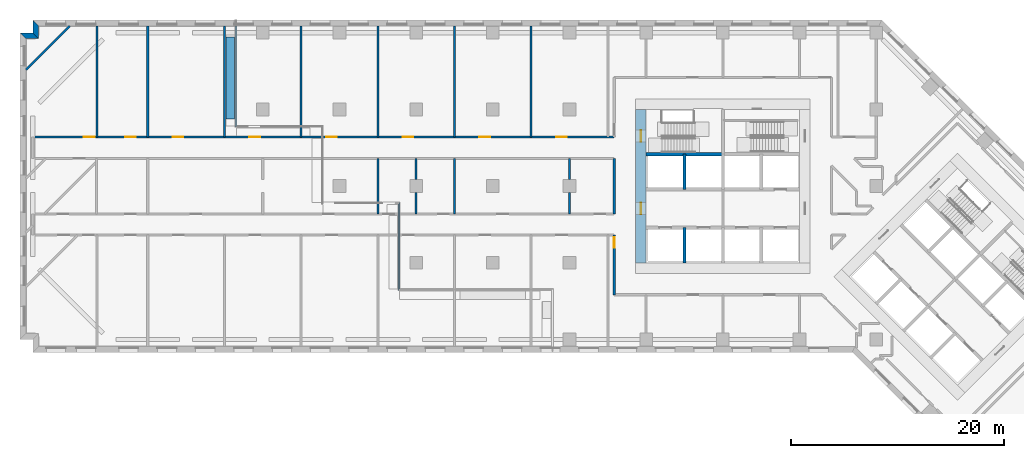
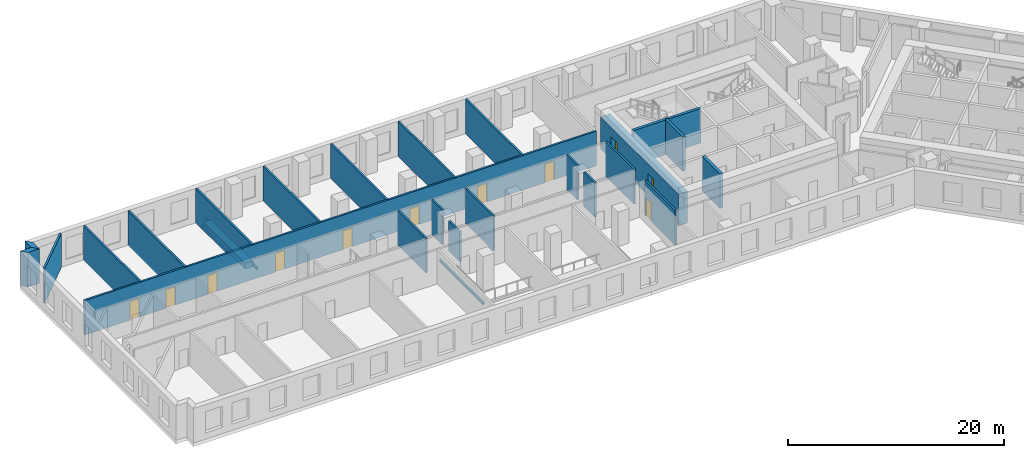
# One storey, part 4 of 12: 26 walls, 11 doors, 11 openings.
"""IFC4 building model written with IfcOpenShell, lengths in metres."""

from ifc_helpers import new_model, si_unit, direction, frame, frame_2d, origin, place, context, subcontext, project, spatial, polyline, rectangle, outline, extrude, material, layer, layer_set, type_object, element, fill, save


model = new_model("IFC4")

# Units and contexts
model_context = context("Model", 3, precision=1e-05, world=origin(), true_north=direction((0.0, 1.0)))
body_context = subcontext(model_context, "Body", "Model", "MODEL_VIEW")
ifc_project = project(units=[si_unit("LENGTHUNIT", "METRE"), si_unit("AREAUNIT", "SQUARE_METRE"), si_unit("VOLUMEUNIT", "CUBIC_METRE"), si_unit("PLANEANGLEUNIT", "RADIAN"), si_unit("MASSUNIT", "GRAM", prefix="KILO")], contexts=[model_context])

# Site, building, storey
site_placement = place(None, origin())
site = spatial("IfcSite", under=ifc_project, at=site_placement, CompositionType="ELEMENT")
building_placement = place(site_placement, origin())
building = spatial("IfcBuilding", under=site, at=building_placement, Name="Windrow Commons", CompositionType="ELEMENT")
storey_placement = place(building_placement, frame((0.0, 0.0, 22.8)))
storey = spatial("IfcBuildingStorey", under=building, at=storey_placement, Name="L05", CompositionType="ELEMENT", Elevation=22.8)

# Walls
ifc_material_1 = material(Name="Brick masonry, red clay brick", Category="masonry")
ifc_layer_1 = layer(ifc_material_1, 0.55)
ifc_layer_set_1 = layer_set([ifc_layer_1], Name="Brick facade wall 550")
wall_type_1 = type_object("IfcWallType", Name="Brick facade wall 550", PredefinedType="SOLIDWALL", material=ifc_layer_set_1)
wall_1_placement = place(storey_placement, frame((0.275, 72.925, 0.0), z_axis=(0.0, 0.0, 1.0), x_axis=(0.0, -1.0, 0.0)))
element("IfcWall", 1, at=wall_1_placement, inside=storey, type_object=wall_type_1, Name="Brick facade wall L05 6", PredefinedType="SOLIDWALL", context=body_context, shape_type="SweptSolid", body=[
    extrude(outline(polyline([(-0.275, -0.275), (0.925, -0.275), (1.475, 0.275), (0.275, 0.275), (-0.275, -0.275)])), origin(), (0.0, 0.0, 1.0), 3.9),
])
wall_2_placement = place(storey_placement, frame((0.275, 71.725, 0.0), z_axis=(0.0, 0.0, 1.0), x_axis=(-1.0, 0.0, 0.0)))
element("IfcWall", 2, at=wall_2_placement, inside=storey, type_object=wall_type_1, Name="Brick facade wall L05 7", PredefinedType="SOLIDWALL", context=body_context, shape_type="SweptSolid", body=[
    extrude(outline(polyline([(0.275, -0.275), (1.475, -0.275), (0.925, 0.275), (-0.275, 0.275), (0.275, -0.275)])), origin(), (0.0, 0.0, 1.0), 3.9),
])

# Wall, openings, doors
ifc_material_2 = material(Name="Blockwork partition", Category="masonry")
ifc_layer_2 = layer(ifc_material_2, 0.2)
ifc_layer_set_2 = layer_set([ifc_layer_2], Name="IW-CORRIDOR-200")
wall_type_2 = type_object("IfcWallType", Name="IW-CORRIDOR-200", PredefinedType="PARTITIONING", material=ifc_layer_set_2)
wall_3_placement = place(storey_placement, frame((0.002, 62.2, 0.0), z_axis=(0.0, 0.0, 1.0), x_axis=(1.0, 0.0, 0.0)))
wall_3 = element("IfcWall", 3, at=wall_3_placement, inside=storey, type_object=wall_type_2, Name="W-L05-W003", PredefinedType="PARTITIONING", context=body_context, shape_type="SweptSolid", body=[
    extrude(rectangle(XDim=54.598, YDim=0.2, at=frame_2d((27.299, 0.0))), origin(), (0.0, 0.0, 1.0), 3.9),
])
opening_1_placement = place(wall_3_placement, frame((8.6667, 0.0, 0.0)))
opening_1 = element("IfcOpeningElement", 4, at=opening_1_placement, cuts=wall_3, Name="Opening D310F", PredefinedType="OPENING", context=body_context, shape_type="SweptSolid", body=[
    extrude(rectangle(XDim=1.0, YDim=2.1, at=frame_2d((0.5, 1.05))), frame((0.0, 0.11, 0.0), z_axis=(0.0, -1.0, 0.0), x_axis=(1.0, 0.0, 0.0)), (0.0, 0.0, 1.0), 0.22),
])
opening_2_placement = place(wall_3_placement, frame((13.1355, 0.0, 0.0)))
opening_2 = element("IfcOpeningElement", 5, at=opening_2_placement, cuts=wall_3, Name="Opening D310F", PredefinedType="OPENING", context=body_context, shape_type="SweptSolid", body=[
    extrude(rectangle(XDim=1.0, YDim=2.1, at=frame_2d((0.5, 1.05))), frame((0.0, 0.11, 0.0), z_axis=(0.0, -1.0, 0.0), x_axis=(1.0, 0.0, 0.0)), (0.0, 0.0, 1.0), 0.22),
])
opening_3_placement = place(wall_3_placement, frame((20.3355, 0.0, 0.0)))
opening_3 = element("IfcOpeningElement", 6, at=opening_3_placement, cuts=wall_3, Name="Opening D310F", PredefinedType="OPENING", context=body_context, shape_type="SweptSolid", body=[
    extrude(rectangle(XDim=1.0, YDim=2.1, at=frame_2d((0.5, 1.05))), frame((0.0, 0.11, 0.0), z_axis=(0.0, -1.0, 0.0), x_axis=(1.0, 0.0, 0.0)), (0.0, 0.0, 1.0), 0.22),
])
opening_4_placement = place(wall_3_placement, frame((27.5355, 0.0, 0.0)))
opening_4 = element("IfcOpeningElement", 7, at=opening_4_placement, cuts=wall_3, Name="Opening D310F", PredefinedType="OPENING", context=body_context, shape_type="SweptSolid", body=[
    extrude(rectangle(XDim=1.0, YDim=2.1, at=frame_2d((0.5, 1.05))), frame((0.0, 0.11, 0.0), z_axis=(0.0, -1.0, 0.0), x_axis=(1.0, 0.0, 0.0)), (0.0, 0.0, 1.0), 0.22),
])
opening_5_placement = place(wall_3_placement, frame((34.7355, 0.0, 0.0)))
opening_5 = element("IfcOpeningElement", 8, at=opening_5_placement, cuts=wall_3, Name="Opening D310F", PredefinedType="OPENING", context=body_context, shape_type="SweptSolid", body=[
    extrude(rectangle(XDim=1.0, YDim=2.1, at=frame_2d((0.5, 1.05))), frame((0.0, 0.11, 0.0), z_axis=(0.0, -1.0, 0.0), x_axis=(1.0, 0.0, 0.0)), (0.0, 0.0, 1.0), 0.22),
])
opening_6_placement = place(wall_3_placement, frame((41.9355, 0.0, 0.0)))
opening_6 = element("IfcOpeningElement", 9, at=opening_6_placement, cuts=wall_3, Name="Opening D310F", PredefinedType="OPENING", context=body_context, shape_type="SweptSolid", body=[
    extrude(rectangle(XDim=1.0, YDim=2.1, at=frame_2d((0.5, 1.05))), frame((0.0, 0.11, 0.0), z_axis=(0.0, -1.0, 0.0), x_axis=(1.0, 0.0, 0.0)), (0.0, 0.0, 1.0), 0.22),
])
opening_7_placement = place(wall_3_placement, frame((49.1355, 0.0, 0.0)))
opening_7 = element("IfcOpeningElement", 10, at=opening_7_placement, cuts=wall_3, Name="Opening D310F", PredefinedType="OPENING", context=body_context, shape_type="SweptSolid", body=[
    extrude(rectangle(XDim=1.0, YDim=2.1, at=frame_2d((0.5, 1.05))), frame((0.0, 0.11, 0.0), z_axis=(0.0, -1.0, 0.0), x_axis=(1.0, 0.0, 0.0)), (0.0, 0.0, 1.0), 0.22),
])
opening_8_placement = place(wall_3_placement, frame((4.8033, 0.0, 0.0)))
opening_8 = element("IfcOpeningElement", 11, at=opening_8_placement, cuts=wall_3, Name="Opening D310F", PredefinedType="OPENING", context=body_context, shape_type="SweptSolid", body=[
    extrude(rectangle(XDim=1.0, YDim=2.1, at=frame_2d((0.5, 1.05))), frame((0.0, 0.11, 0.0), z_axis=(0.0, -1.0, 0.0), x_axis=(1.0, 0.0, 0.0)), (0.0, 0.0, 1.0), 0.22),
])
ifc_material_3 = material(Name="Timber door leaf", Category="wood")
door_type_1 = type_object("IfcDoorType", Name="DT-AMENITY-1000", OperationType="SINGLE_SWING_LEFT", PredefinedType="DOOR", material=ifc_material_3)
door_1_placement = place(opening_1_placement, origin())
door_1 = element("IfcDoor", 12, at=door_1_placement, inside=storey, type_object=door_type_1, Name="D-L05-D019", OperationType="SINGLE_SWING_RIGHT", OverallHeight=2.1, OverallWidth=1.0, PredefinedType="DOOR", context=body_context, shape_type="SweptSolid", body=[
    extrude(rectangle(XDim=1.0, YDim=2.1, at=frame_2d((0.5, 1.05))), frame((0.0, 0.025, 0.0), z_axis=(0.0, -1.0, 0.0), x_axis=(1.0, 0.0, 0.0)), (0.0, 0.0, 1.0), 0.05),
])
fill(opening_1, door_1)
door_2_placement = place(opening_2_placement, origin())
door_2 = element("IfcDoor", 13, at=door_2_placement, inside=storey, type_object=door_type_1, Name="D-L05-D020", OperationType="SINGLE_SWING_LEFT", OverallHeight=2.1, OverallWidth=1.0, PredefinedType="DOOR", context=body_context, shape_type="SweptSolid", body=[
    extrude(rectangle(XDim=1.0, YDim=2.1, at=frame_2d((0.5, 1.05))), frame((0.0, 0.025, 0.0), z_axis=(0.0, -1.0, 0.0), x_axis=(1.0, 0.0, 0.0)), (0.0, 0.0, 1.0), 0.05),
])
fill(opening_2, door_2)
door_3_placement = place(opening_3_placement, origin())
door_3 = element("IfcDoor", 14, at=door_3_placement, inside=storey, type_object=door_type_1, Name="D-L05-D021", OperationType="SINGLE_SWING_LEFT", OverallHeight=2.1, OverallWidth=1.0, PredefinedType="DOOR", context=body_context, shape_type="SweptSolid", body=[
    extrude(rectangle(XDim=1.0, YDim=2.1, at=frame_2d((0.5, 1.05))), frame((0.0, 0.025, 0.0), z_axis=(0.0, -1.0, 0.0), x_axis=(1.0, 0.0, 0.0)), (0.0, 0.0, 1.0), 0.05),
])
fill(opening_3, door_3)
door_4_placement = place(opening_4_placement, origin())
door_4 = element("IfcDoor", 15, at=door_4_placement, inside=storey, type_object=door_type_1, Name="D-L05-D022", OperationType="SINGLE_SWING_LEFT", OverallHeight=2.1, OverallWidth=1.0, PredefinedType="DOOR", context=body_context, shape_type="SweptSolid", body=[
    extrude(rectangle(XDim=1.0, YDim=2.1, at=frame_2d((0.5, 1.05))), frame((0.0, 0.025, 0.0), z_axis=(0.0, -1.0, 0.0), x_axis=(1.0, 0.0, 0.0)), (0.0, 0.0, 1.0), 0.05),
])
fill(opening_4, door_4)
door_5_placement = place(opening_5_placement, origin())
door_5 = element("IfcDoor", 16, at=door_5_placement, inside=storey, type_object=door_type_1, Name="D-L05-D023", OperationType="SINGLE_SWING_LEFT", OverallHeight=2.1, OverallWidth=1.0, PredefinedType="DOOR", context=body_context, shape_type="SweptSolid", body=[
    extrude(rectangle(XDim=1.0, YDim=2.1, at=frame_2d((0.5, 1.05))), frame((0.0, 0.025, 0.0), z_axis=(0.0, -1.0, 0.0), x_axis=(1.0, 0.0, 0.0)), (0.0, 0.0, 1.0), 0.05),
])
fill(opening_5, door_5)
door_6_placement = place(opening_6_placement, origin())
door_6 = element("IfcDoor", 17, at=door_6_placement, inside=storey, type_object=door_type_1, Name="D-L05-D024", OperationType="SINGLE_SWING_LEFT", OverallHeight=2.1, OverallWidth=1.0, PredefinedType="DOOR", context=body_context, shape_type="SweptSolid", body=[
    extrude(rectangle(XDim=1.0, YDim=2.1, at=frame_2d((0.5, 1.05))), frame((0.0, 0.025, 0.0), z_axis=(0.0, -1.0, 0.0), x_axis=(1.0, 0.0, 0.0)), (0.0, 0.0, 1.0), 0.05),
])
fill(opening_6, door_6)
door_7_placement = place(opening_7_placement, origin())
door_7 = element("IfcDoor", 18, at=door_7_placement, inside=storey, type_object=door_type_1, Name="D-L05-D025", OperationType="SINGLE_SWING_LEFT", OverallHeight=2.1, OverallWidth=1.0, PredefinedType="DOOR", context=body_context, shape_type="SweptSolid", body=[
    extrude(rectangle(XDim=1.0, YDim=2.1, at=frame_2d((0.5, 1.05))), frame((0.0, 0.025, 0.0), z_axis=(0.0, -1.0, 0.0), x_axis=(1.0, 0.0, 0.0)), (0.0, 0.0, 1.0), 0.05),
])
fill(opening_7, door_7)
door_8_placement = place(opening_8_placement, origin())
door_8 = element("IfcDoor", 19, at=door_8_placement, inside=storey, type_object=door_type_1, Name="D-L05-D042", OperationType="SINGLE_SWING_LEFT", OverallHeight=2.1, OverallWidth=1.0, PredefinedType="DOOR", context=body_context, shape_type="SweptSolid", body=[
    extrude(rectangle(XDim=1.0, YDim=2.1, at=frame_2d((0.5, 1.05))), frame((0.0, 0.025, 0.0), z_axis=(0.0, -1.0, 0.0), x_axis=(1.0, 0.0, 0.0)), (0.0, 0.0, 1.0), 0.05),
])
fill(opening_8, door_8)

# Wall, opening, door
wall_4_placement = place(storey_placement, frame((54.6, 47.4, 0.0), z_axis=(0.0, 0.0, 1.0), x_axis=(0.0, 1.0, 0.0)))
wall_4 = element("IfcWall", 20, at=wall_4_placement, inside=storey, type_object=wall_type_2, Name="W-L05-W044", PredefinedType="PARTITIONING", context=body_context, shape_type="SweptSolid", body=[
    extrude(rectangle(XDim=5.6, YDim=0.2, at=frame_2d((2.8, 0.0))), origin(), (0.0, 0.0, 1.0), 3.9),
])
opening_9_placement = place(wall_4_placement, frame((4.4071, 0.0, 0.0)))
opening_9 = element("IfcOpeningElement", 21, at=opening_9_placement, cuts=wall_4, Name="Opening D310F", PredefinedType="OPENING", context=body_context, shape_type="SweptSolid", body=[
    extrude(rectangle(XDim=1.0, YDim=2.1, at=frame_2d((0.5, 1.05))), frame((0.0, 0.11, 0.0), z_axis=(0.0, -1.0, 0.0), x_axis=(1.0, 0.0, 0.0)), (0.0, 0.0, 1.0), 0.22),
])
door_9_placement = place(opening_9_placement, origin())
door_9 = element("IfcDoor", 22, at=door_9_placement, inside=storey, type_object=door_type_1, Name="D-L05-D007", OperationType="SINGLE_SWING_RIGHT", OverallHeight=2.1, OverallWidth=1.0, PredefinedType="DOOR", context=body_context, shape_type="SweptSolid", body=[
    extrude(rectangle(XDim=1.0, YDim=2.1, at=frame_2d((0.5, 1.05))), frame((0.0, 0.025, 0.0), z_axis=(0.0, -1.0, 0.0), x_axis=(1.0, 0.0, 0.0)), (0.0, 0.0, 1.0), 0.05),
])
fill(opening_9, door_9)

# Walls
wall_5_placement = place(storey_placement, frame((54.6, 55.002, 0.0), z_axis=(0.0, 0.0, 1.0), x_axis=(0.0, 1.0, 0.0)))
element("IfcWall", 23, at=wall_5_placement, inside=storey, type_object=wall_type_2, Name="W-L05-W053", PredefinedType="PARTITIONING", context=body_context, shape_type="SweptSolid", body=[
    extrude(rectangle(XDim=5.198, YDim=0.2, at=frame_2d((2.599, 0.0))), origin(), (0.0, 0.0, 1.0), 3.9),
])
ifc_material_4 = material(Name="Blockwork partition", Category="masonry")
ifc_layer_3 = layer(ifc_material_4, 0.2)
ifc_layer_set_3 = layer_set([ifc_layer_3], Name="IW-PARTY-200")
wall_type_3 = type_object("IfcWallType", Name="IW-PARTY-200", PredefinedType="PARTITIONING", material=ifc_layer_set_3)
for number, where, z_axis, x_axis, name in (
    (24, (6.03, 62.2, 0.0), (0.0, 0.0, 1.0), (0.0, 1.0, 0.0), "W-L05-W018"),
    (25, (10.8, 62.2, 0.0), (0.0, 0.0, 1.0), (0.0, 1.0, 0.0), "W-L05-W019"),
    (26, (18.0, 62.2, 0.0), (0.0, 0.0, 1.0), (0.0, 1.0, 0.0), "W-L05-W020"),
    (27, (25.2, 62.2, 0.0), (0.0, 0.0, 1.0), (0.0, 1.0, 0.0), "W-L05-W021"),
    (28, (32.4, 62.2, 0.0), (0.0, 0.0, 1.0), (0.0, 1.0, 0.0), "W-L05-W022"),
    (29, (39.6, 62.2, 0.0), (0.0, 0.0, 1.0), (0.0, 1.0, 0.0), "W-L05-W023"),
    (30, (46.8, 62.2, 0.0), (0.0, 0.0, 1.0), (0.0, 1.0, 0.0), "W-L05-W024"),
):
    element("IfcWall", number, at=place(storey_placement, frame(where, z_axis=z_axis, x_axis=x_axis)), inside=storey, type_object=wall_type_3, Name=name, PredefinedType="PARTITIONING", context=body_context, shape_type="SweptSolid", body=[
        extrude(rectangle(XDim=10.45, YDim=0.2, at=frame_2d((5.225, 0.0))), origin(), (0.0, 0.0, 1.0), 3.9),
    ])
wall_6_placement = place(storey_placement, frame((-0.65, 68.5192, 0.0), z_axis=(0.0, 0.0, 1.0), x_axis=(0.7071067812, 0.7071067812, 0.0)))
element("IfcWall", 31, at=wall_6_placement, inside=storey, type_object=wall_type_3, Name="W-L05-W042", PredefinedType="PARTITIONING", context=body_context, shape_type="SweptSolid", body=[
    extrude(rectangle(XDim=5.8418, YDim=0.2, at=frame_2d((2.9209, 0.0))), origin(), (0.0, 0.0, 1.0), 3.9),
])
for number, where, z_axis, x_axis, name in (
    (32, (32.4, 55.0, 0.0), (0.0, 0.0, 1.0), (0.0, 1.0, 0.0), "W-L05-W051"),
    (33, (39.6, 55.0, 0.0), (0.0, 0.0, 1.0), (0.0, 1.0, 0.0), "W-L05-W052"),
):
    element("IfcWall", number, at=place(storey_placement, frame(where, z_axis=z_axis, x_axis=x_axis)), inside=storey, type_object=wall_type_3, Name=name, PredefinedType="PARTITIONING", context=body_context, shape_type="SweptSolid", body=[
        extrude(rectangle(XDim=5.2, YDim=0.2, at=frame_2d((2.6, 0.0))), origin(), (0.0, 0.0, 1.0), 3.9),
    ])
wall_7_placement = place(storey_placement, frame((36.0, 55.0, 0.0), z_axis=(0.0, 0.0, 1.0), x_axis=(0.0, 1.0, 0.0)))
element("IfcWall", 34, at=wall_7_placement, inside=storey, type_object=wall_type_3, Name="W-L05-W078", PredefinedType="PARTITIONING", context=body_context, shape_type="SweptSolid", body=[
    extrude(rectangle(XDim=2.0, YDim=0.2, at=frame_2d((1.0, 0.0))), origin(), (0.0, 0.0, 1.0), 3.4),
])
for number, where, z_axis, x_axis, name in (
    (35, (36.0, 58.2, 0.0), (0.0, 0.0, 1.0), (0.0, 1.0, 0.0), "W-L05-W079"),
    (36, (50.4, 55.0, 0.0), (0.0, 0.0, 1.0), (0.0, 1.0, 0.0), "W-L05-W080"),
    (37, (50.4, 58.2, 0.0), (0.0, 0.0, 1.0), (0.0, 1.0, 0.0), "W-L05-W081"),
):
    element("IfcWall", number, at=place(storey_placement, frame(where, z_axis=z_axis, x_axis=x_axis)), inside=storey, type_object=wall_type_3, Name=name, PredefinedType="PARTITIONING", context=body_context, shape_type="SweptSolid", body=[
        extrude(rectangle(XDim=2.0, YDim=0.2, at=frame_2d((1.0, 0.0))), origin(), (0.0, 0.0, 1.0), 3.9),
    ])
ifc_material_5 = material(Name="Concrete C30/37 planter wall", Category="concrete")
ifc_layer_4 = layer(ifc_material_5, 0.8)
ifc_layer_set_4 = layer_set([ifc_layer_4], Name="Planter 800x600")
wall_type_4 = type_object("IfcWallType", Name="Planter 800x600", PredefinedType="SOLIDWALL", material=ifc_layer_set_4)
wall_8_placement = place(storey_placement, frame((18.55, 63.9, 0.0), z_axis=(0.0, 0.0, 1.0), x_axis=(0.0, 1.0, 0.0)))
element("IfcWall", 38, at=wall_8_placement, inside=storey, type_object=wall_type_4, Name="PLANTER TR-L05-1.7", PredefinedType="SOLIDWALL", context=body_context, shape_type="SweptSolid", body=[
    extrude(outline(polyline([(0.0, -0.4), (7.705, -0.4), (7.705, 0.4), (0.0, 0.4), (0.0, -0.4)])), origin(), (0.0, 0.0, 1.0), 0.65),
])

# Wall, openings, doors
ifc_material_6 = material(Name="Concrete C60/75", Category="concrete")
ifc_layer_5 = layer(ifc_material_6, 1.0)
ifc_layer_set_5 = layer_set([ifc_layer_5], Name="RC CORE WALL 1000 C60/75")
wall_type_5 = type_object("IfcWallType", Name="RC CORE WALL 1000 C60/75", PredefinedType="SHEAR", material=ifc_layer_set_5)
wall_9_placement = place(storey_placement, frame((57.1, 50.4, -0.4), z_axis=(0.0, 0.0, 1.0), x_axis=(0.0, 1.0, 0.0)))
wall_9 = element("IfcWall", 39, at=wall_9_placement, inside=storey, type_object=wall_type_5, Name="Core A wall outer-W", PredefinedType="SHEAR", context=body_context, shape_type="SweptSolid", body=[
    extrude(rectangle(XDim=14.4, YDim=1.0, at=frame_2d((7.2, 0.0))), origin(), (0.0, 0.0, 1.0), 3.6),
])
opening_10_placement = place(wall_9_placement, frame((4.55, 0.0, 0.4)))
opening_10 = element("IfcOpeningElement", 40, at=opening_10_placement, cuts=wall_9, Name="Opening D6", PredefinedType="OPENING", context=body_context, shape_type="SweptSolid", body=[
    extrude(rectangle(XDim=1.1, YDim=2.1, at=frame_2d((0.55, 1.05))), frame((0.0, 0.51, 0.0), z_axis=(0.0, -1.0, 0.0), x_axis=(1.0, 0.0, 0.0)), (0.0, 0.0, 1.0), 1.02),
])
opening_11_placement = place(wall_9_placement, frame((11.35, 0.0, 0.4)))
opening_11 = element("IfcOpeningElement", 41, at=opening_11_placement, cuts=wall_9, Name="Opening D7", PredefinedType="OPENING", context=body_context, shape_type="SweptSolid", body=[
    extrude(rectangle(XDim=1.1, YDim=2.1, at=frame_2d((0.55, 1.05))), frame((0.0, 0.51, 0.0), z_axis=(0.0, -1.0, 0.0), x_axis=(1.0, 0.0, 0.0)), (0.0, 0.0, 1.0), 1.02),
])
ifc_material_7 = material(Name="Steel fire door leaf", Category="steel")
door_type_2 = type_object("IfcDoorType", Name="Core lobby door 1100", OperationType="SINGLE_SWING_LEFT", PredefinedType="DOOR", material=ifc_material_7)
door_10_placement = place(opening_10_placement, origin())
door_10 = element("IfcDoor", 42, at=door_10_placement, inside=storey, type_object=door_type_2, Name="Lift lobby door", OperationType="DOUBLE_DOOR_SINGLE_SWING", OverallHeight=2.1, OverallWidth=1.1, PredefinedType="DOOR", context=body_context, shape_type="SweptSolid", body=[
    extrude(rectangle(XDim=1.1, YDim=2.1, at=frame_2d((0.55, 1.05))), frame((0.0, 0.025, 0.0), z_axis=(0.0, -1.0, 0.0), x_axis=(1.0, 0.0, 0.0)), (0.0, 0.0, 1.0), 0.05),
])
fill(opening_10, door_10)
ifc_material_8 = material(Name="Steel fire door leaf", Category="steel")
door_type_3 = type_object("IfcDoorType", Name="Stair door 1100", OperationType="SINGLE_SWING_LEFT", PredefinedType="DOOR", material=ifc_material_8)
door_11_placement = place(opening_11_placement, origin())
door_11 = element("IfcDoor", 43, at=door_11_placement, inside=storey, type_object=door_type_3, Name="Stair door", OperationType="SINGLE_SWING_LEFT", OverallHeight=2.1, OverallWidth=1.1, PredefinedType="DOOR", context=body_context, shape_type="SweptSolid", body=[
    extrude(rectangle(XDim=1.1, YDim=2.1, at=frame_2d((0.55, 1.05))), frame((0.0, 0.025, 0.0), z_axis=(0.0, -1.0, 0.0), x_axis=(1.0, 0.0, 0.0)), (0.0, 0.0, 1.0), 0.05),
])
fill(opening_11, door_11)

# Walls
ifc_material_9 = material(Name="Concrete C60/75", Category="concrete")
ifc_layer_6 = layer(ifc_material_9, 0.3)
ifc_layer_set_6 = layer_set([ifc_layer_6], Name="RC SHAFT WALL 300 C60/75")
wall_type_6 = type_object("IfcWallType", Name="RC SHAFT WALL 300 C60/75", PredefinedType="SOLIDWALL", material=ifc_layer_set_6)
for number, where, z_axis, x_axis, name in (
    (44, (61.2, 50.4, 0.0), (0.0, 0.0, 1.0), (0.0, 1.0, 0.0), "Core A wall shaft-S1"),
    (45, (61.2, 57.3, 0.0), (0.0, 0.0, 1.0), (0.0, 1.0, 0.0), "Core A wall shaft-N1"),
):
    element("IfcWall", number, at=place(storey_placement, frame(where, z_axis=z_axis, x_axis=x_axis)), inside=storey, type_object=wall_type_6, Name=name, PredefinedType="SOLIDWALL", context=body_context, shape_type="SweptSolid", body=[
        extrude(rectangle(XDim=3.3, YDim=0.3, at=frame_2d((1.65, 0.0))), origin(), (0.0, 0.0, 1.0), 3.9),
    ])
wall_10_placement = place(storey_placement, frame((57.6, 60.6, 0.0), z_axis=(0.0, 0.0, 1.0), x_axis=(1.0, 0.0, 0.0)))
element("IfcWall", 46, at=wall_10_placement, inside=storey, type_object=wall_type_6, Name="Core A wall stair-S", PredefinedType="SOLIDWALL", context=body_context, shape_type="SweptSolid", body=[
    extrude(rectangle(XDim=7.2, YDim=0.3, at=frame_2d((3.6, 0.0))), origin(), (0.0, 0.0, 1.0), 3.9),
])
ifc_material_10 = material(Name="Brick masonry, red clay brick", Category="masonry")
ifc_layer_7 = layer(ifc_material_10, 0.2)
ifc_layer_set_7 = layer_set([ifc_layer_7], Name="Terrace edge parapet 200")
wall_type_7 = type_object("IfcWallType", Name="Terrace edge parapet 200", PredefinedType="PARAPET", material=ifc_layer_set_7)
wall_11_placement = place(storey_placement, frame((34.4, 47.9, 0.0), z_axis=(0.0, 0.0, 1.0), x_axis=(0.0, 1.0, 0.0)))
element("IfcWall", 47, at=wall_11_placement, inside=storey, type_object=wall_type_7, Name="Terrace parapet TR-L05-1.1.3", PredefinedType="PARAPET", context=body_context, shape_type="SweptSolid", body=[
    extrude(outline(polyline([(0.1, -0.1), (8.2, -0.1), (8.0, 0.1), (-0.1, 0.1), (0.1, -0.1)])), origin(), (0.0, 0.0, 1.0), 0.25),
])
wall_12_placement = place(storey_placement, frame((19.1, 63.2, 0.0), z_axis=(0.0, 0.0, 1.0), x_axis=(0.0, 1.0, 0.0)))
element("IfcWall", 48, at=wall_12_placement, inside=storey, type_object=wall_type_7, Name="Terrace parapet TR-L05-1.1.7", PredefinedType="PARAPET", context=body_context, shape_type="SweptSolid", body=[
    extrude(outline(polyline([(0.1, -0.1), (9.45, -0.1), (9.45, 0.1), (-0.1, 0.1), (0.1, -0.1)])), origin(), (0.0, 0.0, 1.0), 0.25),
])

save(model, "model.ifc")
